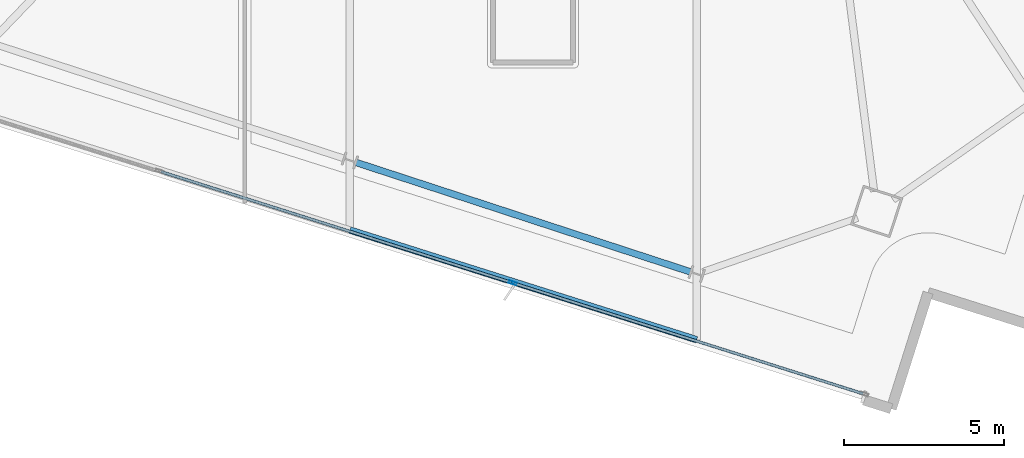
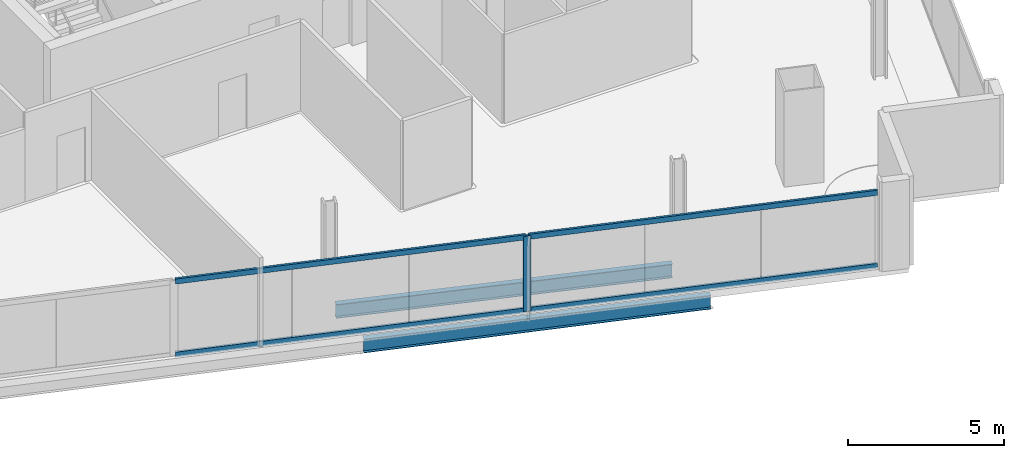
# One storey, part 3 of 26: 5 members, 2 beams, 1 element without a shape of its own.
"""IFC4 building model written with IfcOpenShell, lengths in metres."""

import ifcopenshell
import ifcopenshell.guid

model = None  # the IFC model being written
_history = None  # IfcOwnerHistory: only IFC2X3 demands one
_inside = {}  # id of a spatial element -> (the spatial element, [elements in it])
_under = {}  # id of a project, library or spatial element -> (it, [spatial elements below it])
_declared = {}  # id of a project -> (the project, [libraries it declares])
_typed = {}  # id of a type object -> (the type object, [elements of that type])
_made_of = {}  # id of a material, layer set ... -> (it, [elements and type objects made of it])


def new_model(schema):
    """Start an empty IFC model of exactly this schema.

    Asked for "IFC4X3", IfcOpenShell would pick the latest addendum, in which some entities
    have other attributes; the version numbers below select the first issue.
    IFC2X3 requires an IfcOwnerHistory on every rooted entity: one is made here for all.
    """
    global model, _history
    if schema == "IFC4X3":
        model = ifcopenshell.file(schema_version=(4, 3, 0, 0))
    else:
        model = ifcopenshell.file(schema=schema)
    _inside.clear()
    _under.clear()
    _declared.clear()
    _typed.clear()
    _made_of.clear()
    _history = None
    if model.schema == "IFC2X3":
        org = make("IfcOrganization", Name="unknown")
        user = make(
            "IfcPersonAndOrganization",
            ThePerson=make("IfcPerson", FamilyName="unknown"),
            TheOrganization=org,
        )
        app = make(
            "IfcApplication",
            ApplicationDeveloper=org,
            Version="unknown",
            ApplicationFullName="unknown",
            ApplicationIdentifier="unknown",
        )
        _history = make(
            "IfcOwnerHistory",
            OwningUser=user,
            OwningApplication=app,
            ChangeAction="ADDED",
            CreationDate=0,
        )
    return model


def make(cls, **values):
    """One entity of the class cls with the attributes given. An attribute that is None is left unset."""
    return model.create_entity(
        cls, **{name: value for name, value in values.items() if value is not None}
    )


def rooted(cls, **values):
    """An entity with a GlobalId (a new one), such as an element, a storey or a relation."""
    return make(cls, GlobalId=ifcopenshell.guid.new(), OwnerHistory=_history, **values)


def si_unit(unit_type, name, prefix=None):
    """IfcSIUnit, for example si_unit("LENGTHUNIT", "METRE", prefix="MILLI")."""
    return make("IfcSIUnit", UnitType=unit_type, Prefix=prefix, Name=name)


def assignment(units):
    """IfcUnitAssignment: the units of a project."""
    return None if units is None else make("IfcUnitAssignment", Units=units)


def point(xyz):
    """IfcCartesianPoint."""
    return None if xyz is None else make("IfcCartesianPoint", Coordinates=xyz)


def direction(xyz):
    """IfcDirection."""
    return None if xyz is None else make("IfcDirection", DirectionRatios=xyz)


def frame(location, z_axis=None, x_axis=None):
    """IfcAxis2Placement3D, a coordinate frame: its origin and axes. An axis left out is left unset."""
    return make(
        "IfcAxis2Placement3D",
        Location=point(location),
        Axis=direction(z_axis),
        RefDirection=direction(x_axis),
    )


def frame_2d(location, x_axis=None):
    """IfcAxis2Placement2D, a coordinate frame in the plane: its origin and x axis."""
    return make(
        "IfcAxis2Placement2D", Location=point(location), RefDirection=direction(x_axis)
    )


def origin():
    """The frame at (0, 0, 0) with its axes left unset."""
    return frame((0.0, 0.0, 0.0))


def origin_2d():
    """The frame at (0, 0) in the plane with its x axis left unset."""
    return frame_2d((0.0, 0.0))


def place(relative_to, where):
    """IfcLocalPlacement: puts the frame where relative to a parent placement (None: the world)."""
    return make(
        "IfcLocalPlacement", PlacementRelTo=relative_to, RelativePlacement=where
    )


def context(
    kind, dimensions, precision=None, world=None, true_north=None, identifier=None
):
    """IfcGeometricRepresentationContext, for example the 3D "Model" context."""
    return make(
        "IfcGeometricRepresentationContext",
        ContextIdentifier=identifier,
        ContextType=kind,
        CoordinateSpaceDimension=dimensions,
        Precision=precision,
        WorldCoordinateSystem=world,
        TrueNorth=true_north,
    )


def subcontext(parent, identifier, kind, view, scale=None):
    """IfcGeometricRepresentationSubContext, for example "Body" below "Model"."""
    return make(
        "IfcGeometricRepresentationSubContext",
        ContextIdentifier=identifier,
        ContextType=kind,
        ParentContext=parent,
        TargetScale=scale,
        TargetView=view,
    )


def project(units=None, contexts=None):
    """IfcProject with its units and contexts."""
    return rooted(
        "IfcProject",
        Name="project",
        RepresentationContexts=contexts,
        UnitsInContext=assignment(units),
    )


def spatial(cls, under=None, at=None, **own):
    """A site, building, storey or space (cls), placed at a placement, below another one or the project."""
    s = rooted(cls, ObjectPlacement=at, **own)
    if under is not None:
        _under.setdefault(under.id(), (under, []))[1].append(s)
    return s


def profile(cls, at=None, kind="AREA", **sizes):
    """A parametric profile (cls). Its sizes go by their IFC names, for example OverallWidth=200.0."""
    return make(cls, ProfileType=kind, Position=at, **sizes)


def hollow_rectangle(**sizes):
    """IfcRectangleHollowProfileDef."""
    return profile("IfcRectangleHollowProfileDef", **sizes)


def i_section(**sizes):
    """IfcIShapeProfileDef."""
    return profile("IfcIShapeProfileDef", **sizes)


def extrude(swept, where, along, depth):
    """IfcExtrudedAreaSolid: the profile swept, set in the frame where, extruded along a direction by depth."""
    return make(
        "IfcExtrudedAreaSolid",
        SweptArea=swept,
        Position=where,
        ExtrudedDirection=direction(along),
        Depth=depth,
    )


def shape(context_of_items, identifier, shape_type, items):
    """IfcShapeRepresentation: the items that make up one representation, for example the "Body"."""
    return make(
        "IfcShapeRepresentation",
        ContextOfItems=context_of_items,
        RepresentationIdentifier=identifier,
        RepresentationType=shape_type,
        Items=items,
    )


def material(Name=None, Category=None):
    """IfcMaterial."""
    return make("IfcMaterial", Name=Name, Category=Category)


def material_profile(
    of_material, cross_section, Name=None, Category=None, Priority=None
):
    """IfcMaterialProfile: a cross section and its material."""
    return make(
        "IfcMaterialProfile",
        Name=Name,
        Material=of_material,
        Profile=cross_section,
        Priority=Priority,
        Category=Category,
    )


def profile_set(profiles, Name=None, composite=None):
    """IfcMaterialProfileSet."""
    return make(
        "IfcMaterialProfileSet",
        Name=Name,
        MaterialProfiles=profiles,
        CompositeProfile=composite,
    )


def made_of(thing, what):
    """Note that an element or type object is made of a material, layer set ...; save() writes the relation."""
    if what is not None:
        _made_of.setdefault(what.id(), (what, []))[1].append(thing)
    return thing


def type_object(cls, material=None, **own):
    """A type object (cls), such as IfcWallType, which elements share."""
    return made_of(rooted(cls, **own), material)


def element(
    cls,
    number,
    at=None,
    inside=None,
    cuts=None,
    type_object=None,
    material=None,
    context=None,
    identifier="Body",
    shape_type=None,
    held_by="IfcProductDefinitionShape",
    body=None,
    shapes=None,
    **own,
):
    """One element of the class cls, such as IfcWall. Its Tag is "e" and its number.

    at: its placement. inside: the storey or other place that contains it. cuts: it is an
    opening in that element (IfcRelVoidsElement). A single representation is given by context,
    identifier, shape_type and body (its items); several are given by shapes. held_by: the class
    of the entity that holds the representations. save() writes the other relations.
    """
    e = rooted(cls, Tag="e%d" % number, ObjectPlacement=at, **own)
    if body is not None:
        shapes = [shape(context, identifier, shape_type, body)]
    if shapes is not None:
        e.Representation = make(held_by, Representations=shapes)
    if inside is not None:
        _inside.setdefault(inside.id(), (inside, []))[1].append(e)
    if cuts is not None:
        rooted(
            "IfcRelVoidsElement", RelatingBuildingElement=cuts, RelatedOpeningElement=e
        )
    if type_object is not None:
        _typed.setdefault(type_object.id(), (type_object, []))[1].append(e)
    return made_of(e, material)


def aggregate(whole, parts):
    """IfcRelAggregates: a whole, such as a stair, and the parts it consists of."""
    return rooted("IfcRelAggregates", RelatingObject=whole, RelatedObjects=parts)


def save(model, path):
    """Write the relations noted so far, then the file.

    IfcRelAggregates (storeys below a building ...), IfcRelContainedInSpatialStructure (elements
    in a storey), IfcRelDefinesByType, IfcRelAssociatesMaterial and IfcRelDeclares: one each for
    every whole, place, type object, material and project.
    """
    for whole, parts in _under.values():
        aggregate(whole, parts)
    for where, things in _inside.values():
        rooted(
            "IfcRelContainedInSpatialStructure",
            RelatedElements=things,
            RelatingStructure=where,
        )
    for kind, things in _typed.values():
        rooted("IfcRelDefinesByType", RelatedObjects=things, RelatingType=kind)
    for what, things in _made_of.values():
        rooted("IfcRelAssociatesMaterial", RelatedObjects=things, RelatingMaterial=what)
    for by, libraries in _declared.values():
        rooted("IfcRelDeclares", RelatingContext=by, RelatedDefinitions=libraries)
    model.write(path)


model = new_model("IFC4")

# Units and contexts
model_context = context("Model", 3, precision=1e-05, world=origin(), true_north=direction((0.0, 1.0)))
body_context = subcontext(model_context, "Body", "Model", "MODEL_VIEW")
ifc_project = project(units=[si_unit("LENGTHUNIT", "METRE"), si_unit("AREAUNIT", "SQUARE_METRE"), si_unit("VOLUMEUNIT", "CUBIC_METRE"), si_unit("PLANEANGLEUNIT", "RADIAN"), si_unit("MASSUNIT", "GRAM", prefix="KILO")], contexts=[model_context])

# Site, building, storey
site_placement = place(None, origin())
site = spatial("IfcSite", under=ifc_project, at=site_placement, CompositionType="ELEMENT")
building_placement = place(site_placement, origin())
building = spatial("IfcBuilding", under=site, at=building_placement, Name="Haldenkirk Collegiate Tower", CompositionType="ELEMENT")
storey_placement = place(building_placement, frame((0.0, 0.0, 271.199951171875)))
storey = spatial("IfcBuildingStorey", under=building, at=storey_placement, Name="L68", CompositionType="ELEMENT", Elevation=271.199951171875)

# Beams
ifc_material_1 = material(Name="Steel ASTM A992 Grade 50", Category="steel")
ifc_material_profile_1 = material_profile(ifc_material_1, i_section(OverallWidth=0.2099609375, OverallDepth=0.537109375, WebThickness=0.010986328125, FlangeThickness=0.017333984375, at=origin_2d()), Name="W21X68")
ifc_profile_set_1 = profile_set([ifc_material_profile_1], Name="Steel ASTM A992 Grade 50")
beam_type = type_object("IfcBeamType", Name="BM-SPANDREL-W21X68", PredefinedType="SPANDREL", material=ifc_profile_set_1)
beam_1_placement = place(storey_placement, frame((30.4755859375, 5.97509765625, -0.538330078125), z_axis=(0.95040429397, -0.311017166733, 0.0), x_axis=(0.311017166733, 0.95040429397, 0.0)))
element("IfcBeam", 1, at=beam_1_placement, inside=storey, type_object=beam_type, Name="L68 perimeter spandrel beam 15", PredefinedType="SPANDREL", context=body_context, shape_type="SweptSolid", body=[
    extrude(i_section(OverallWidth=0.2099609375, OverallDepth=0.537109375, WebThickness=0.010986328125, FlangeThickness=0.017333984375, at=origin_2d()), origin(), (0.0, 0.0, 1.0), 10.988037109375),
])
beam_2_placement = place(storey_placement, frame((30.283203125, 3.863525390625, -0.538330078125), z_axis=(0.953450337158, -0.301550086341, 0.0), x_axis=(0.301550086341, 0.953450337158, 0.0)))
element("IfcBeam", 2, at=beam_2_placement, inside=storey, type_object=beam_type, Name="L68 outer facade edge beam 4B", PredefinedType="SPANDREL", context=body_context, shape_type="SweptSolid", body=[
    extrude(i_section(OverallWidth=0.2099609375, OverallDepth=0.537109375, WebThickness=0.010986328125, FlangeThickness=0.017333984375, at=origin_2d()), origin(), (0.0, 0.0, 1.0), 11.3564453125),
])

# Curtain wall, members
ifc_material_2 = material(Name="Anodised architectural bronze aluminium", Category="aluminium")
curtain_wall_type = type_object("IfcCurtainWallType", Name="CW-SYS1B-CONVEX-HI", PredefinedType="USERDEFINED", material=ifc_material_2)
curtain_wall_placement = place(storey_placement, origin())
curtain_wall = element("IfcCurtainWall", 3, at=curtain_wall_placement, inside=storey, type_object=curtain_wall_type, Name="L68 Upper tower high-wind convex bronze unitised curtain wall", ObjectType="UNITISED CURTAIN WALL", PredefinedType="USERDEFINED")
ifc_material_profile_2 = material_profile(ifc_material_2, hollow_rectangle(XDim=0.0849609375, YDim=0.25, WallThickness=0.0048828125, at=origin_2d()), Name="CW-MUL-1B")
ifc_profile_set_2 = profile_set([ifc_material_profile_2], Name="Anodised architectural bronze aluminium")
member_type_1 = type_object("IfcMemberType", Name="CW-MUL-1B", PredefinedType="MULLION", material=ifc_profile_set_2)
member_1_placement = place(storey_placement, frame((35.36474609375, 2.21435546875, 0.0), z_axis=(0.0, 0.0, 1.0), x_axis=(-0.301537400144, -0.95345434936, 0.0)))
member_1 = element("IfcMember", 4, at=member_1_placement, type_object=member_type_1, Name="CW-1B mullion 2", PredefinedType="MULLION", context=body_context, shape_type="SweptSolid", body=[
    extrude(hollow_rectangle(XDim=0.0849609375, YDim=0.25, WallThickness=0.0048828125, at=origin_2d()), origin(), (0.0, 0.0, 1.0), 2.93798828125),
])
ifc_material_profile_3 = material_profile(ifc_material_2, hollow_rectangle(XDim=0.0849609375, YDim=0.199951171875, WallThickness=0.0048828125, at=origin_2d()), Name="CW-TRN-1B")
ifc_profile_set_3 = profile_set([ifc_material_profile_3], Name="Anodised architectural bronze aluminium")
member_type_2 = type_object("IfcMemberType", Name="CW-TRN-1B", PredefinedType="USERDEFINED", material=ifc_profile_set_3)
member_2_placement = place(storey_placement, frame((46.30419921875, -1.245361328125, 0.04248046875), z_axis=(-0.95345055384, 0.301549401229, 0.0), x_axis=(-0.301549401229, -0.95345055384, 0.0)))
member_2 = element("IfcMember", 5, at=member_2_placement, type_object=member_type_2, Name="CW-1B transom 1.1", ObjectType="TRANSOM", PredefinedType="USERDEFINED", context=body_context, shape_type="SweptSolid", body=[
    extrude(hollow_rectangle(XDim=0.0849609375, YDim=0.199951171875, WallThickness=0.0048828125, at=origin_2d()), origin(), (0.0, 0.0, 1.0), 11.43115234375),
])
member_3_placement = place(storey_placement, frame((46.30419921875, -1.245361328125, 2.8955078125), z_axis=(-0.95345055384, 0.301549401229, 0.0), x_axis=(-0.301549401229, -0.95345055384, 0.0)))
member_3 = element("IfcMember", 6, at=member_3_placement, type_object=member_type_2, Name="CW-1B transom 1.2", ObjectType="TRANSOM", PredefinedType="USERDEFINED", context=body_context, shape_type="SweptSolid", body=[
    extrude(hollow_rectangle(XDim=0.0849609375, YDim=0.199951171875, WallThickness=0.0048828125, at=origin_2d()), origin(), (0.0, 0.0, 1.0), 11.43115234375),
])
member_4_placement = place(storey_placement, frame((35.324462890625, 2.227294921875, 0.04248046875), z_axis=(-0.953459736986, 0.301520364066, 0.0), x_axis=(-0.301520364066, -0.953459736986, 0.0)))
member_4 = element("IfcMember", 7, at=member_4_placement, type_object=member_type_2, Name="CW-1B transom 2.1", ObjectType="TRANSOM", PredefinedType="USERDEFINED", context=body_context, shape_type="SweptSolid", body=[
    extrude(hollow_rectangle(XDim=0.0849609375, YDim=0.199951171875, WallThickness=0.0048828125, at=origin_2d()), origin(), (0.0, 0.0, 1.0), 11.473388671875),
])
member_5_placement = place(storey_placement, frame((35.324462890625, 2.227294921875, 2.8955078125), z_axis=(-0.953459736986, 0.301520364066, 0.0), x_axis=(-0.301520364066, -0.953459736986, 0.0)))
member_5 = element("IfcMember", 8, at=member_5_placement, type_object=member_type_2, Name="CW-1B transom 2.2", ObjectType="TRANSOM", PredefinedType="USERDEFINED", context=body_context, shape_type="SweptSolid", body=[
    extrude(hollow_rectangle(XDim=0.0849609375, YDim=0.199951171875, WallThickness=0.0048828125, at=origin_2d()), origin(), (0.0, 0.0, 1.0), 11.473388671875),
])
aggregate(curtain_wall, [member_1, member_2, member_3, member_4, member_5])

save(model, "model.ifc")
